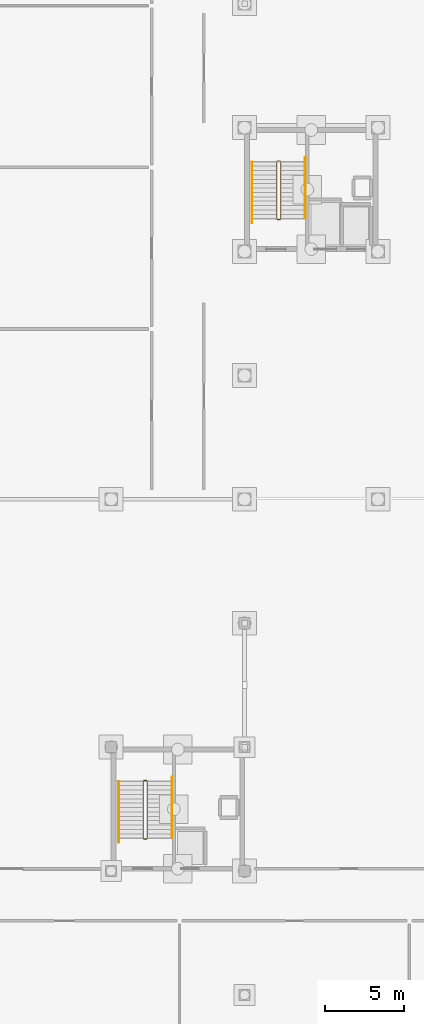
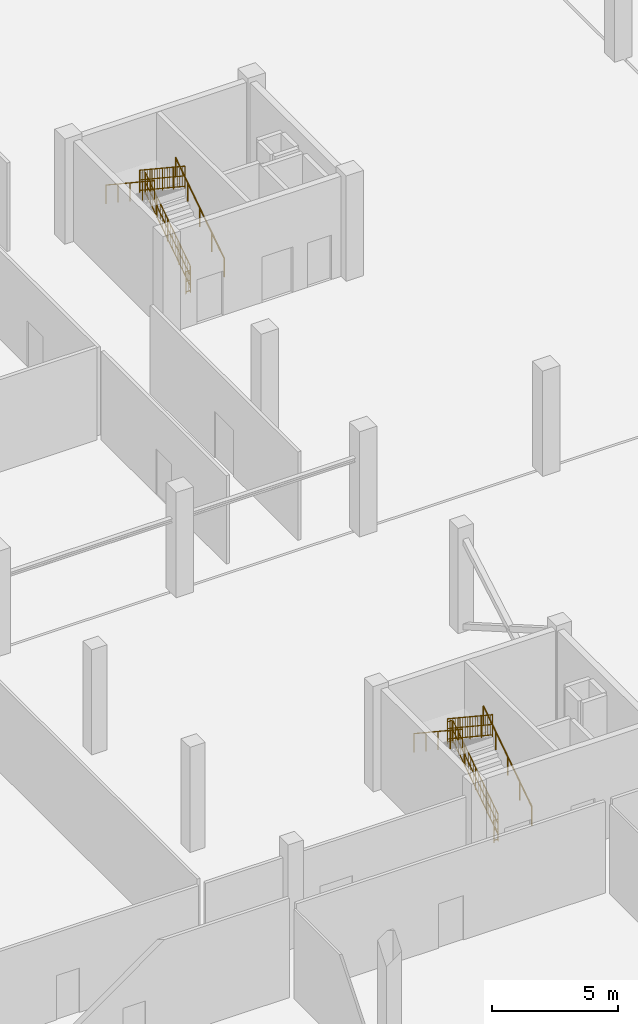
# One storey, part 39 of 48: 11 railings.
"""IFC4 building model written with IfcOpenShell, lengths in metres."""

from ifc_helpers import new_model, si_unit, direction, frame, origin, origin_2d, place, context, subcontext, project, spatial, circle, extrude, material, layer, layer_set, type_object, element, save


model = new_model("IFC4")

# Units and contexts
model_context = context("Model", 3, precision=1e-05, world=origin(), true_north=direction((0.0, 1.0)))
body_context = subcontext(model_context, "Body", "Model", "MODEL_VIEW")
ifc_project = project(units=[si_unit("LENGTHUNIT", "METRE"), si_unit("AREAUNIT", "SQUARE_METRE"), si_unit("VOLUMEUNIT", "CUBIC_METRE"), si_unit("PLANEANGLEUNIT", "RADIAN"), si_unit("MASSUNIT", "GRAM", prefix="KILO")], contexts=[model_context])

# Site, building, storey
site_placement = place(None, origin())
site = spatial("IfcSite", under=ifc_project, at=site_placement, CompositionType="ELEMENT")
building_placement = place(site_placement, origin())
building = spatial("IfcBuilding", under=site, at=building_placement, Name="Nabrawat Pavilion Hospital", CompositionType="ELEMENT")
storey_placement = place(building_placement, frame((0.0, 0.0, -5.10009765625)))
storey = spatial("IfcBuildingStorey", under=building, at=storey_placement, Name="B1", CompositionType="ELEMENT", Elevation=-5.10009765625)

# Railings
ifc_material = material(Name="Stainless Steel 316", Category="steel")
ifc_layer_1 = layer(ifc_material, 0.050048828125, Name="Stainless Steel 316")
ifc_layer_set_1 = layer_set([ifc_layer_1], Name="Stainless Steel 316")
railing_type_1 = type_object("IfcRailingType", Name="Stair Open-Well Safety Guardrail 1100", PredefinedType="GUARDRAIL", material=ifc_layer_set_1)
railing_1_placement = place(storey_placement, frame((27.47509765625, 17.669921875, 0.18212890625)))
element("IfcRailing", 1, at=railing_1_placement, inside=storey, type_object=railing_type_1, Name="B1 ST-01 stair guard 1", PredefinedType="GUARDRAIL", context=body_context, shape_type="SweptSolid", body=[
    extrude(circle(Radius=0.02392578125, at=origin_2d()), frame((0.0, 0.0, 1.076171875), z_axis=(0.0, 0.833719449677, 0.5521882643), x_axis=(-1.0, 0.0, 0.0)), (0.0, 0.0, 1.0), 4.288330078125),
    extrude(circle(Radius=0.02392578125, at=origin_2d()), frame((0.0, 0.0, 0.10009765625), z_axis=(0.0, 0.833719449677, 0.5521882643), x_axis=(-1.0, 0.0, 0.0)), (0.0, 0.0, 1.0), 4.288330078125),
    extrude(circle(Radius=0.02392578125, at=origin_2d()), frame((0.0, 0.0, 0.60498046875), z_axis=(0.0, 0.833719449677, 0.5521882643), x_axis=(-1.0, 0.0, 0.0)), (0.0, 0.0, 1.0), 4.288330078125),
    extrude(circle(Radius=0.008056640625, at=origin_2d()), frame((0.0, 0.19873046875, 0.2314453125)), (0.0, 0.0, 1.0), 0.951904296875),
    extrude(circle(Radius=0.008056640625, at=origin_2d()), frame((0.0, 0.397216796875, 0.363037109375)), (0.0, 0.0, 1.0), 0.951904296875),
    extrude(circle(Radius=0.008056640625, at=origin_2d()), frame((0.0, 0.595947265625, 0.49462890625)), (0.0, 0.0, 1.0), 0.951904296875),
    extrude(circle(Radius=0.008056640625, at=origin_2d()), frame((0.0, 0.79443359375, 0.626220703125)), (0.0, 0.0, 1.0), 0.951904296875),
    extrude(circle(Radius=0.008056640625, at=origin_2d()), frame((0.0, 0.9931640625, 0.7578125)), (0.0, 0.0, 1.0), 0.951904296875),
    extrude(circle(Radius=0.008056640625, at=origin_2d()), frame((0.0, 1.191650390625, 0.889404296875)), (0.0, 0.0, 1.0), 0.951904296875),
    extrude(circle(Radius=0.008056640625, at=origin_2d()), frame((0.0, 1.390380859375, 1.020751953125)), (0.0, 0.0, 1.0), 0.951904296875),
    extrude(circle(Radius=0.008056640625, at=origin_2d()), frame((0.0, 1.5888671875, 1.15234375)), (0.0, 0.0, 1.0), 0.951904296875),
    extrude(circle(Radius=0.008056640625, at=origin_2d()), frame((0.0, 1.986328125, 1.41552734375)), (0.0, 0.0, 1.0), 0.951904296875),
    extrude(circle(Radius=0.008056640625, at=origin_2d()), frame((0.0, 2.184814453125, 1.547119140625)), (0.0, 0.0, 1.0), 0.951904296875),
    extrude(circle(Radius=0.008056640625, at=origin_2d()), frame((0.0, 2.383544921875, 1.6787109375)), (0.0, 0.0, 1.0), 0.951904296875),
    extrude(circle(Radius=0.008056640625, at=origin_2d()), frame((0.0, 2.58203125, 1.81005859375)), (0.0, 0.0, 1.0), 0.951904296875),
    extrude(circle(Radius=0.008056640625, at=origin_2d()), frame((0.0, 2.78076171875, 1.941650390625)), (0.0, 0.0, 1.0), 0.951904296875),
    extrude(circle(Radius=0.008056640625, at=origin_2d()), frame((0.0, 2.979248046875, 2.0732421875)), (0.0, 0.0, 1.0), 0.951904296875),
    extrude(circle(Radius=0.008056640625, at=origin_2d()), frame((0.0, 3.177978515625, 2.204833984375)), (0.0, 0.0, 1.0), 0.951904296875),
    extrude(circle(Radius=0.008056640625, at=origin_2d()), frame((0.0, 3.37646484375, 2.33642578125)), (0.0, 0.0, 1.0), 0.951904296875),
    extrude(circle(Radius=0.02099609375, at=origin_2d()), origin(), (0.0, 0.0, 1.0), 1.052001953125),
    extrude(circle(Radius=0.02099609375, at=origin_2d()), frame((0.0, 0.893798828125, 0.592041015625)), (0.0, 0.0, 1.0), 1.052001953125),
    extrude(circle(Radius=0.02099609375, at=origin_2d()), frame((0.0, 1.78759765625, 1.18408203125)), (0.0, 0.0, 1.0), 1.052001953125),
    extrude(circle(Radius=0.02099609375, at=origin_2d()), frame((0.0, 2.681396484375, 1.77587890625)), (0.0, 0.0, 1.0), 1.052001953125),
    extrude(circle(Radius=0.02099609375, at=origin_2d()), frame((0.0, 3.5751953125, 2.367919921875)), (0.0, 0.0, 1.0), 1.052001953125),
])
railing_2_placement = place(storey_placement, frame((27.449951171875, 21.294921875, 2.550048828125)))
element("IfcRailing", 2, at=railing_2_placement, inside=storey, type_object=railing_type_1, Name="B1 ST-01 stair guard 2", PredefinedType="GUARDRAIL", context=body_context, shape_type="SweptSolid", body=[
    extrude(circle(Radius=0.02392578125, at=origin_2d()), frame((0.0, 0.0, 1.076171875), z_axis=(-1.0, 0.0, 0.0), x_axis=(0.0, -1.0, 0.0)), (0.0, 0.0, 1.0), 0.199951171875),
    extrude(circle(Radius=0.02392578125, at=origin_2d()), frame((0.0, 0.0, 0.10009765625), z_axis=(-1.0, 0.0, 0.0), x_axis=(0.0, -1.0, 0.0)), (0.0, 0.0, 1.0), 0.199951171875),
    extrude(circle(Radius=0.02392578125, at=origin_2d()), frame((0.0, 0.0, 0.60498046875), z_axis=(-1.0, 0.0, 0.0), x_axis=(0.0, -1.0, 0.0)), (0.0, 0.0, 1.0), 0.199951171875),
    extrude(circle(Radius=0.008056640625, at=origin_2d()), frame((-0.10009765625, 0.0, 0.10009765625)), (0.0, 0.0, 1.0), 0.951904296875),
    extrude(circle(Radius=0.02099609375, at=origin_2d()), origin(), (0.0, 0.0, 1.0), 1.052001953125),
    extrude(circle(Radius=0.02099609375, at=origin_2d()), frame((-0.199951171875, 0.0, 0.0)), (0.0, 0.0, 1.0), 1.052001953125),
])
railing_3_placement = place(storey_placement, frame((27.22509765625, 21.2451171875, 2.732177734375)))
element("IfcRailing", 3, at=railing_3_placement, inside=storey, type_object=railing_type_1, Name="B1 ST-01 stair guard 3", PredefinedType="GUARDRAIL", context=body_context, shape_type="SweptSolid", body=[
    extrude(circle(Radius=0.02392578125, at=origin_2d()), frame((0.0, 0.0, 1.076171875), z_axis=(0.0, -0.833719449677, 0.5521882643), x_axis=(1.0, 0.0, 0.0)), (0.0, 0.0, 1.0), 4.288330078125),
    extrude(circle(Radius=0.02392578125, at=origin_2d()), frame((0.0, 0.0, 0.10009765625), z_axis=(0.0, -0.833719449677, 0.5521882643), x_axis=(1.0, 0.0, 0.0)), (0.0, 0.0, 1.0), 4.288330078125),
    extrude(circle(Radius=0.02392578125, at=origin_2d()), frame((0.0, 0.0, 0.60498046875), z_axis=(0.0, -0.833719449677, 0.5521882643), x_axis=(1.0, 0.0, 0.0)), (0.0, 0.0, 1.0), 4.288330078125),
    extrude(circle(Radius=0.008056640625, at=origin_2d()), frame((0.0, -0.19873046875, 0.2314453125)), (0.0, 0.0, 1.0), 0.951904296875),
    extrude(circle(Radius=0.008056640625, at=origin_2d()), frame((0.0, -0.397216796875, 0.363037109375)), (0.0, 0.0, 1.0), 0.951904296875),
    extrude(circle(Radius=0.008056640625, at=origin_2d()), frame((0.0, -0.595947265625, 0.49462890625)), (0.0, 0.0, 1.0), 0.951904296875),
    extrude(circle(Radius=0.008056640625, at=origin_2d()), frame((0.0, -0.79443359375, 0.626220703125)), (0.0, 0.0, 1.0), 0.951904296875),
    extrude(circle(Radius=0.008056640625, at=origin_2d()), frame((0.0, -0.9931640625, 0.7578125)), (0.0, 0.0, 1.0), 0.951904296875),
    extrude(circle(Radius=0.008056640625, at=origin_2d()), frame((0.0, -1.191650390625, 0.889404296875)), (0.0, 0.0, 1.0), 0.951904296875),
    extrude(circle(Radius=0.008056640625, at=origin_2d()), frame((0.0, -1.390380859375, 1.020751953125)), (0.0, 0.0, 1.0), 0.951904296875),
    extrude(circle(Radius=0.008056640625, at=origin_2d()), frame((0.0, -1.5888671875, 1.15234375)), (0.0, 0.0, 1.0), 0.951904296875),
    extrude(circle(Radius=0.008056640625, at=origin_2d()), frame((0.0, -1.986328125, 1.41552734375)), (0.0, 0.0, 1.0), 0.951904296875),
    extrude(circle(Radius=0.008056640625, at=origin_2d()), frame((0.0, -2.184814453125, 1.547119140625)), (0.0, 0.0, 1.0), 0.951904296875),
    extrude(circle(Radius=0.008056640625, at=origin_2d()), frame((0.0, -2.383544921875, 1.6787109375)), (0.0, 0.0, 1.0), 0.951904296875),
    extrude(circle(Radius=0.008056640625, at=origin_2d()), frame((0.0, -2.58203125, 1.81005859375)), (0.0, 0.0, 1.0), 0.951904296875),
    extrude(circle(Radius=0.008056640625, at=origin_2d()), frame((0.0, -2.78076171875, 1.941650390625)), (0.0, 0.0, 1.0), 0.951904296875),
    extrude(circle(Radius=0.008056640625, at=origin_2d()), frame((0.0, -2.979248046875, 2.0732421875)), (0.0, 0.0, 1.0), 0.951904296875),
    extrude(circle(Radius=0.008056640625, at=origin_2d()), frame((0.0, -3.177978515625, 2.204833984375)), (0.0, 0.0, 1.0), 0.951904296875),
    extrude(circle(Radius=0.008056640625, at=origin_2d()), frame((0.0, -3.37646484375, 2.33642578125)), (0.0, 0.0, 1.0), 0.951904296875),
    extrude(circle(Radius=0.02099609375, at=origin_2d()), origin(), (0.0, 0.0, 1.0), 1.052001953125),
    extrude(circle(Radius=0.02099609375, at=origin_2d()), frame((0.0, -0.893798828125, 0.592041015625)), (0.0, 0.0, 1.0), 1.052001953125),
    extrude(circle(Radius=0.02099609375, at=origin_2d()), frame((0.0, -1.78759765625, 1.18408203125)), (0.0, 0.0, 1.0), 1.052001953125),
    extrude(circle(Radius=0.02099609375, at=origin_2d()), frame((0.0, -2.681396484375, 1.77587890625)), (0.0, 0.0, 1.0), 1.052001953125),
    extrude(circle(Radius=0.02099609375, at=origin_2d()), frame((0.0, -3.5751953125, 2.367919921875)), (0.0, 0.0, 1.0), 1.052001953125),
])
railing_4_placement = place(storey_placement, frame((27.449951171875, 17.6201171875, 0.0)))
element("IfcRailing", 4, at=railing_4_placement, inside=storey, type_object=railing_type_1, Name="B1 ST-01 stair guard 4", PredefinedType="GUARDRAIL", context=body_context, shape_type="SweptSolid", body=[
    extrude(circle(Radius=0.02392578125, at=origin_2d()), frame((0.0, 0.0, 1.076171875), z_axis=(-1.0, 0.0, 0.0), x_axis=(0.0, -1.0, 0.0)), (0.0, 0.0, 1.0), 0.199951171875),
    extrude(circle(Radius=0.02392578125, at=origin_2d()), frame((0.0, 0.0, 0.10009765625), z_axis=(-1.0, 0.0, 0.0), x_axis=(0.0, -1.0, 0.0)), (0.0, 0.0, 1.0), 0.199951171875),
    extrude(circle(Radius=0.02392578125, at=origin_2d()), frame((0.0, 0.0, 0.60498046875), z_axis=(-1.0, 0.0, 0.0), x_axis=(0.0, -1.0, 0.0)), (0.0, 0.0, 1.0), 0.199951171875),
    extrude(circle(Radius=0.008056640625, at=origin_2d()), frame((-0.10009765625, 0.0, 0.10009765625)), (0.0, 0.0, 1.0), 0.951904296875),
    extrude(circle(Radius=0.02099609375, at=origin_2d()), origin(), (0.0, 0.0, 1.0), 1.052001953125),
    extrude(circle(Radius=0.02099609375, at=origin_2d()), frame((-0.199951171875, 0.0, 0.0)), (0.0, 0.0, 1.0), 1.052001953125),
])
railing_5_placement = place(storey_placement, frame((35.875, 56.669921875, 0.18212890625)))
element("IfcRailing", 5, at=railing_5_placement, inside=storey, type_object=railing_type_1, Name="B1 ST-02 stair guard 1", PredefinedType="GUARDRAIL", context=body_context, shape_type="SweptSolid", body=[
    extrude(circle(Radius=0.02392578125, at=origin_2d()), frame((0.0, 0.0, 1.076171875), z_axis=(0.0, 0.833719449677, 0.5521882643), x_axis=(-1.0, 0.0, 0.0)), (0.0, 0.0, 1.0), 4.288330078125),
    extrude(circle(Radius=0.02392578125, at=origin_2d()), frame((0.0, 0.0, 0.10009765625), z_axis=(0.0, 0.833719449677, 0.5521882643), x_axis=(-1.0, 0.0, 0.0)), (0.0, 0.0, 1.0), 4.288330078125),
    extrude(circle(Radius=0.02392578125, at=origin_2d()), frame((0.0, 0.0, 0.60498046875), z_axis=(0.0, 0.833719449677, 0.5521882643), x_axis=(-1.0, 0.0, 0.0)), (0.0, 0.0, 1.0), 4.288330078125),
    extrude(circle(Radius=0.008056640625, at=origin_2d()), frame((0.0, 0.19873046875, 0.2314453125)), (0.0, 0.0, 1.0), 0.951904296875),
    extrude(circle(Radius=0.008056640625, at=origin_2d()), frame((0.0, 0.397216796875, 0.363037109375)), (0.0, 0.0, 1.0), 0.951904296875),
    extrude(circle(Radius=0.008056640625, at=origin_2d()), frame((0.0, 0.595947265625, 0.49462890625)), (0.0, 0.0, 1.0), 0.951904296875),
    extrude(circle(Radius=0.008056640625, at=origin_2d()), frame((0.0, 0.79443359375, 0.626220703125)), (0.0, 0.0, 1.0), 0.951904296875),
    extrude(circle(Radius=0.008056640625, at=origin_2d()), frame((0.0, 0.9931640625, 0.7578125)), (0.0, 0.0, 1.0), 0.951904296875),
    extrude(circle(Radius=0.008056640625, at=origin_2d()), frame((0.0, 1.191650390625, 0.889404296875)), (0.0, 0.0, 1.0), 0.951904296875),
    extrude(circle(Radius=0.008056640625, at=origin_2d()), frame((0.0, 1.390380859375, 1.020751953125)), (0.0, 0.0, 1.0), 0.951904296875),
    extrude(circle(Radius=0.008056640625, at=origin_2d()), frame((0.0, 1.5888671875, 1.15234375)), (0.0, 0.0, 1.0), 0.951904296875),
    extrude(circle(Radius=0.008056640625, at=origin_2d()), frame((0.0, 1.986328125, 1.41552734375)), (0.0, 0.0, 1.0), 0.951904296875),
    extrude(circle(Radius=0.008056640625, at=origin_2d()), frame((0.0, 2.184814453125, 1.547119140625)), (0.0, 0.0, 1.0), 0.951904296875),
    extrude(circle(Radius=0.008056640625, at=origin_2d()), frame((0.0, 2.383544921875, 1.6787109375)), (0.0, 0.0, 1.0), 0.951904296875),
    extrude(circle(Radius=0.008056640625, at=origin_2d()), frame((0.0, 2.58203125, 1.81005859375)), (0.0, 0.0, 1.0), 0.951904296875),
    extrude(circle(Radius=0.008056640625, at=origin_2d()), frame((0.0, 2.78076171875, 1.941650390625)), (0.0, 0.0, 1.0), 0.951904296875),
    extrude(circle(Radius=0.008056640625, at=origin_2d()), frame((0.0, 2.979248046875, 2.0732421875)), (0.0, 0.0, 1.0), 0.951904296875),
    extrude(circle(Radius=0.008056640625, at=origin_2d()), frame((0.0, 3.177978515625, 2.204833984375)), (0.0, 0.0, 1.0), 0.951904296875),
    extrude(circle(Radius=0.008056640625, at=origin_2d()), frame((0.0, 3.37646484375, 2.33642578125)), (0.0, 0.0, 1.0), 0.951904296875),
    extrude(circle(Radius=0.02099609375, at=origin_2d()), origin(), (0.0, 0.0, 1.0), 1.052001953125),
    extrude(circle(Radius=0.02099609375, at=origin_2d()), frame((0.0, 0.893798828125, 0.592041015625)), (0.0, 0.0, 1.0), 1.052001953125),
    extrude(circle(Radius=0.02099609375, at=origin_2d()), frame((0.0, 1.78759765625, 1.18408203125)), (0.0, 0.0, 1.0), 1.052001953125),
    extrude(circle(Radius=0.02099609375, at=origin_2d()), frame((0.0, 2.681396484375, 1.77587890625)), (0.0, 0.0, 1.0), 1.052001953125),
    extrude(circle(Radius=0.02099609375, at=origin_2d()), frame((0.0, 3.5751953125, 2.367919921875)), (0.0, 0.0, 1.0), 1.052001953125),
])
railing_6_placement = place(storey_placement, frame((35.625, 60.2451171875, 2.732177734375)))
element("IfcRailing", 6, at=railing_6_placement, inside=storey, type_object=railing_type_1, Name="B1 ST-02 stair guard 3", PredefinedType="GUARDRAIL", context=body_context, shape_type="SweptSolid", body=[
    extrude(circle(Radius=0.02392578125, at=origin_2d()), frame((0.0, 0.0, 1.076171875), z_axis=(0.0, -0.833719449677, 0.5521882643), x_axis=(1.0, 0.0, 0.0)), (0.0, 0.0, 1.0), 4.288330078125),
    extrude(circle(Radius=0.02392578125, at=origin_2d()), frame((0.0, 0.0, 0.10009765625), z_axis=(0.0, -0.833719449677, 0.5521882643), x_axis=(1.0, 0.0, 0.0)), (0.0, 0.0, 1.0), 4.288330078125),
    extrude(circle(Radius=0.02392578125, at=origin_2d()), frame((0.0, 0.0, 0.60498046875), z_axis=(0.0, -0.833719449677, 0.5521882643), x_axis=(1.0, 0.0, 0.0)), (0.0, 0.0, 1.0), 4.288330078125),
    extrude(circle(Radius=0.008056640625, at=origin_2d()), frame((0.0, -0.19873046875, 0.2314453125)), (0.0, 0.0, 1.0), 0.951904296875),
    extrude(circle(Radius=0.008056640625, at=origin_2d()), frame((0.0, -0.397216796875, 0.363037109375)), (0.0, 0.0, 1.0), 0.951904296875),
    extrude(circle(Radius=0.008056640625, at=origin_2d()), frame((0.0, -0.595947265625, 0.49462890625)), (0.0, 0.0, 1.0), 0.951904296875),
    extrude(circle(Radius=0.008056640625, at=origin_2d()), frame((0.0, -0.79443359375, 0.626220703125)), (0.0, 0.0, 1.0), 0.951904296875),
    extrude(circle(Radius=0.008056640625, at=origin_2d()), frame((0.0, -0.9931640625, 0.7578125)), (0.0, 0.0, 1.0), 0.951904296875),
    extrude(circle(Radius=0.008056640625, at=origin_2d()), frame((0.0, -1.191650390625, 0.889404296875)), (0.0, 0.0, 1.0), 0.951904296875),
    extrude(circle(Radius=0.008056640625, at=origin_2d()), frame((0.0, -1.390380859375, 1.020751953125)), (0.0, 0.0, 1.0), 0.951904296875),
    extrude(circle(Radius=0.008056640625, at=origin_2d()), frame((0.0, -1.5888671875, 1.15234375)), (0.0, 0.0, 1.0), 0.951904296875),
    extrude(circle(Radius=0.008056640625, at=origin_2d()), frame((0.0, -1.986328125, 1.41552734375)), (0.0, 0.0, 1.0), 0.951904296875),
    extrude(circle(Radius=0.008056640625, at=origin_2d()), frame((0.0, -2.184814453125, 1.547119140625)), (0.0, 0.0, 1.0), 0.951904296875),
    extrude(circle(Radius=0.008056640625, at=origin_2d()), frame((0.0, -2.383544921875, 1.6787109375)), (0.0, 0.0, 1.0), 0.951904296875),
    extrude(circle(Radius=0.008056640625, at=origin_2d()), frame((0.0, -2.58203125, 1.81005859375)), (0.0, 0.0, 1.0), 0.951904296875),
    extrude(circle(Radius=0.008056640625, at=origin_2d()), frame((0.0, -2.78076171875, 1.941650390625)), (0.0, 0.0, 1.0), 0.951904296875),
    extrude(circle(Radius=0.008056640625, at=origin_2d()), frame((0.0, -2.979248046875, 2.0732421875)), (0.0, 0.0, 1.0), 0.951904296875),
    extrude(circle(Radius=0.008056640625, at=origin_2d()), frame((0.0, -3.177978515625, 2.204833984375)), (0.0, 0.0, 1.0), 0.951904296875),
    extrude(circle(Radius=0.008056640625, at=origin_2d()), frame((0.0, -3.37646484375, 2.33642578125)), (0.0, 0.0, 1.0), 0.951904296875),
    extrude(circle(Radius=0.02099609375, at=origin_2d()), origin(), (0.0, 0.0, 1.0), 1.052001953125),
    extrude(circle(Radius=0.02099609375, at=origin_2d()), frame((0.0, -0.893798828125, 0.592041015625)), (0.0, 0.0, 1.0), 1.052001953125),
    extrude(circle(Radius=0.02099609375, at=origin_2d()), frame((0.0, -1.78759765625, 1.18408203125)), (0.0, 0.0, 1.0), 1.052001953125),
    extrude(circle(Radius=0.02099609375, at=origin_2d()), frame((0.0, -2.681396484375, 1.77587890625)), (0.0, 0.0, 1.0), 1.052001953125),
    extrude(circle(Radius=0.02099609375, at=origin_2d()), frame((0.0, -3.5751953125, 2.367919921875)), (0.0, 0.0, 1.0), 1.052001953125),
])
railing_7_placement = place(storey_placement, frame((35.85009765625, 56.6201171875, 0.0)))
element("IfcRailing", 7, at=railing_7_placement, inside=storey, type_object=railing_type_1, Name="B1 ST-02 stair guard 4", PredefinedType="GUARDRAIL", context=body_context, shape_type="SweptSolid", body=[
    extrude(circle(Radius=0.02392578125, at=origin_2d()), frame((0.0, 0.0, 1.076171875), z_axis=(-1.0, 0.0, 0.0), x_axis=(0.0, -1.0, 0.0)), (0.0, 0.0, 1.0), 0.2001953125),
    extrude(circle(Radius=0.02392578125, at=origin_2d()), frame((0.0, 0.0, 0.10009765625), z_axis=(-1.0, 0.0, 0.0), x_axis=(0.0, -1.0, 0.0)), (0.0, 0.0, 1.0), 0.2001953125),
    extrude(circle(Radius=0.02392578125, at=origin_2d()), frame((0.0, 0.0, 0.60498046875), z_axis=(-1.0, 0.0, 0.0), x_axis=(0.0, -1.0, 0.0)), (0.0, 0.0, 1.0), 0.2001953125),
    extrude(circle(Radius=0.008056640625, at=origin_2d()), frame((-0.10009765625, 0.0, 0.10009765625)), (0.0, 0.0, 1.0), 0.951904296875),
    extrude(circle(Radius=0.02099609375, at=origin_2d()), origin(), (0.0, 0.0, 1.0), 1.052001953125),
    extrude(circle(Radius=0.02099609375, at=origin_2d()), frame((-0.2001953125, 0.0, 0.0)), (0.0, 0.0, 1.0), 1.052001953125),
])
ifc_layer_2 = layer(ifc_material, 0.044921875, Name="Stainless Steel 316")
ifc_layer_set_2 = layer_set([ifc_layer_2], Name="Stainless Steel 316")
railing_type_2 = type_object("IfcRailingType", Name="Stair Pitch Continuous Handrail 920", PredefinedType="HANDRAIL", material=ifc_layer_set_2)
railing_8_placement = place(storey_placement, frame((29.02490234375, 17.669921875, 0.186279296875)))
element("IfcRailing", 8, at=railing_8_placement, inside=storey, type_object=railing_type_2, Name="B1 ST-01 stair handrail 1", PredefinedType="HANDRAIL", context=body_context, shape_type="SweptSolid", body=[
    extrude(circle(Radius=0.02392578125, at=origin_2d()), frame((0.0, 0.0, 0.89599609375), z_axis=(0.0, 0.833713881912, 0.552196670677), x_axis=(-1.0, 0.0, 0.0)), (0.0, 0.0, 1.0), 4.617919921875),
    extrude(circle(Radius=0.02099609375, at=origin_2d()), origin(), (0.0, 0.0, 1.0), 0.871826171875),
    extrude(circle(Radius=0.02099609375, at=origin_2d()), frame((0.0, 0.96240234375, 0.637451171875)), (0.0, 0.0, 1.0), 0.871826171875),
    extrude(circle(Radius=0.02099609375, at=origin_2d()), frame((0.0, 1.925048828125, 1.27490234375)), (0.0, 0.0, 1.0), 0.871826171875),
    extrude(circle(Radius=0.02099609375, at=origin_2d()), frame((0.0, 2.8876953125, 1.91259765625)), (0.0, 0.0, 1.0), 0.871826171875),
    extrude(circle(Radius=0.02099609375, at=origin_2d()), frame((0.0, 3.85009765625, 2.550048828125)), (0.0, 0.0, 1.0), 0.871826171875),
])
railing_9_placement = place(storey_placement, frame((25.675048828125, 21.2451171875, 2.736328125)))
element("IfcRailing", 9, at=railing_9_placement, inside=storey, type_object=railing_type_2, Name="B1 ST-01 stair handrail 2", PredefinedType="HANDRAIL", context=body_context, shape_type="SweptSolid", body=[
    extrude(circle(Radius=0.02392578125, at=origin_2d()), frame((0.0, 0.0, 0.89599609375), z_axis=(0.0, -0.833738220445, 0.552159922278), x_axis=(1.0, 0.0, 0.0)), (0.0, 0.0, 1.0), 4.617919921875),
    extrude(circle(Radius=0.02099609375, at=origin_2d()), origin(), (0.0, 0.0, 1.0), 0.871826171875),
    extrude(circle(Radius=0.02099609375, at=origin_2d()), frame((0.0, -0.96240234375, 0.637451171875)), (0.0, 0.0, 1.0), 0.871826171875),
    extrude(circle(Radius=0.02099609375, at=origin_2d()), frame((0.0, -1.925048828125, 1.27490234375)), (0.0, 0.0, 1.0), 0.871826171875),
    extrude(circle(Radius=0.02099609375, at=origin_2d()), frame((0.0, -2.8876953125, 1.912353515625)), (0.0, 0.0, 1.0), 0.871826171875),
    extrude(circle(Radius=0.02099609375, at=origin_2d()), frame((0.0, -3.85009765625, 2.5498046875)), (0.0, 0.0, 1.0), 0.871826171875),
])
railing_10_placement = place(storey_placement, frame((37.425048828125, 56.669921875, 0.186279296875)))
element("IfcRailing", 10, at=railing_10_placement, inside=storey, type_object=railing_type_2, Name="B1 ST-02 stair handrail 1", PredefinedType="HANDRAIL", context=body_context, shape_type="SweptSolid", body=[
    extrude(circle(Radius=0.02392578125, at=origin_2d()), frame((0.0, 0.0, 0.89599609375), z_axis=(0.0, 0.833713881912, 0.552196670677), x_axis=(-1.0, 0.0, 0.0)), (0.0, 0.0, 1.0), 4.617919921875),
    extrude(circle(Radius=0.02099609375, at=origin_2d()), origin(), (0.0, 0.0, 1.0), 0.871826171875),
    extrude(circle(Radius=0.02099609375, at=origin_2d()), frame((0.0, 0.96240234375, 0.637451171875)), (0.0, 0.0, 1.0), 0.871826171875),
    extrude(circle(Radius=0.02099609375, at=origin_2d()), frame((0.0, 1.925048828125, 1.27490234375)), (0.0, 0.0, 1.0), 0.871826171875),
    extrude(circle(Radius=0.02099609375, at=origin_2d()), frame((0.0, 2.8876953125, 1.91259765625)), (0.0, 0.0, 1.0), 0.871826171875),
    extrude(circle(Radius=0.02099609375, at=origin_2d()), frame((0.0, 3.85009765625, 2.550048828125)), (0.0, 0.0, 1.0), 0.871826171875),
])
railing_11_placement = place(storey_placement, frame((34.074951171875, 60.2451171875, 2.736328125)))
element("IfcRailing", 11, at=railing_11_placement, inside=storey, type_object=railing_type_2, Name="B1 ST-02 stair handrail 2", PredefinedType="HANDRAIL", context=body_context, shape_type="SweptSolid", body=[
    extrude(circle(Radius=0.02392578125, at=origin_2d()), frame((0.0, 0.0, 0.89599609375), z_axis=(0.0, -0.833738220445, 0.552159922278), x_axis=(1.0, 0.0, 0.0)), (0.0, 0.0, 1.0), 4.617919921875),
    extrude(circle(Radius=0.02099609375, at=origin_2d()), origin(), (0.0, 0.0, 1.0), 0.871826171875),
    extrude(circle(Radius=0.02099609375, at=origin_2d()), frame((0.0, -0.96240234375, 0.637451171875)), (0.0, 0.0, 1.0), 0.871826171875),
    extrude(circle(Radius=0.02099609375, at=origin_2d()), frame((0.0, -1.925048828125, 1.27490234375)), (0.0, 0.0, 1.0), 0.871826171875),
    extrude(circle(Radius=0.02099609375, at=origin_2d()), frame((0.0, -2.8876953125, 1.912353515625)), (0.0, 0.0, 1.0), 0.871826171875),
    extrude(circle(Radius=0.02099609375, at=origin_2d()), frame((0.0, -3.85009765625, 2.5498046875)), (0.0, 0.0, 1.0), 0.871826171875),
])

save(model, "model.ifc")
